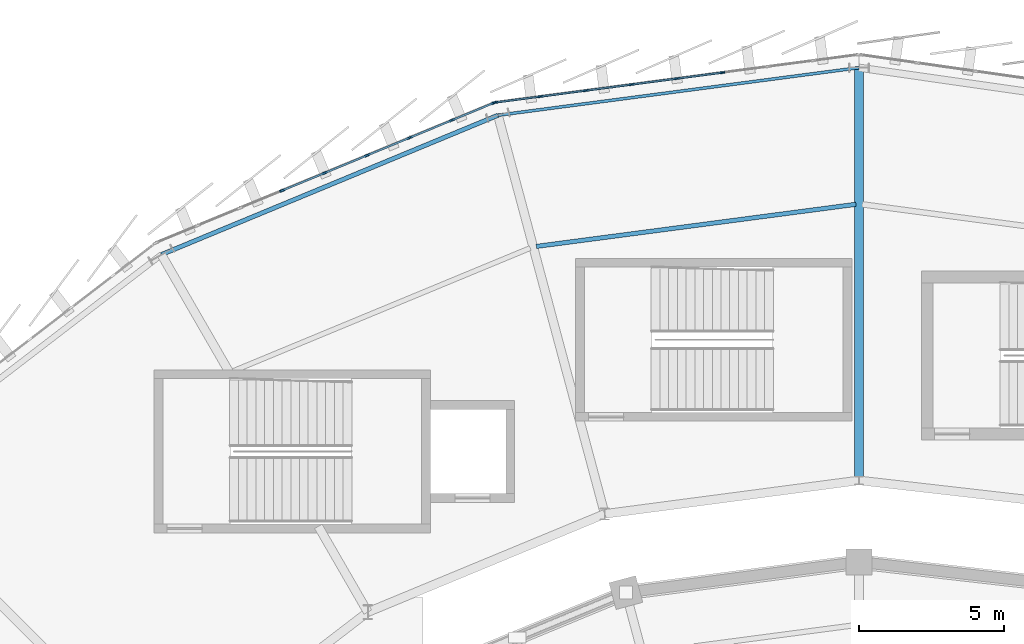
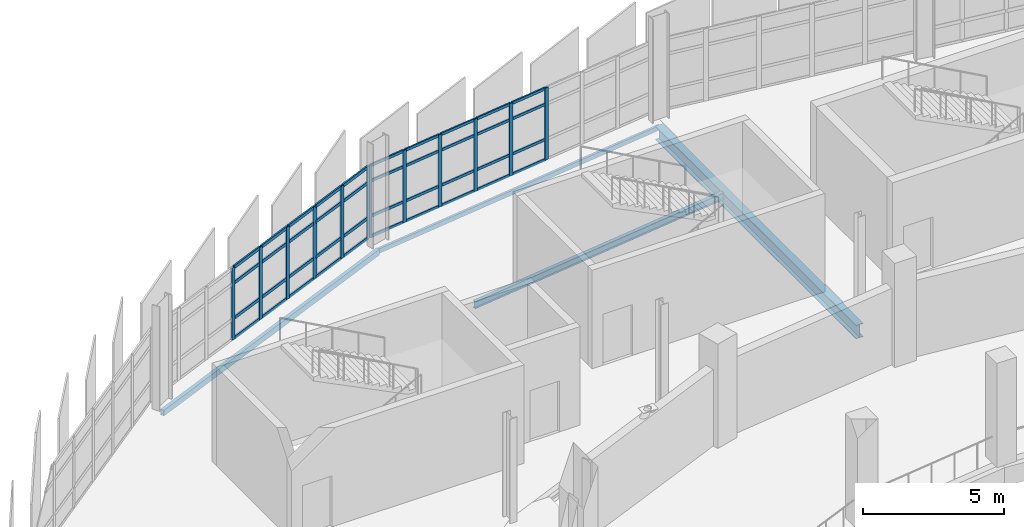
# One storey, part 57 of 125: 52 members, 4 beams, 2 elements without a shape of their own.
"""IFC4 building model written with IfcOpenShell, lengths in metres."""

from ifc_helpers import new_model, si_unit, direction, frame, origin, origin_2d, place, context, subcontext, project, spatial, rectangle, hollow_rectangle, i_section, extrude, material, layer, layer_set, material_profile, profile_set, type_object, element, aggregate, save


model = new_model("IFC4")

# Units and contexts
model_context = context("Model", 3, precision=1e-05, world=origin(), true_north=direction((0.0, 1.0)))
body_context = subcontext(model_context, "Body", "Model", "MODEL_VIEW")
ifc_project = project(units=[si_unit("LENGTHUNIT", "METRE"), si_unit("AREAUNIT", "SQUARE_METRE"), si_unit("VOLUMEUNIT", "CUBIC_METRE"), si_unit("PLANEANGLEUNIT", "RADIAN"), si_unit("MASSUNIT", "GRAM", prefix="KILO")], contexts=[model_context])

# Site, building, storey
site_placement = place(None, origin())
site = spatial("IfcSite", under=ifc_project, at=site_placement, CompositionType="ELEMENT")
building_placement = place(site_placement, origin())
building = spatial("IfcBuilding", under=site, at=building_placement, Name="Sohan Crest Arena", CompositionType="ELEMENT")
storey_placement = place(building_placement, frame((0.0, 0.0, 9.0)))
storey = spatial("IfcBuildingStorey", under=building, at=storey_placement, Name="L02", CompositionType="ELEMENT", Elevation=9.0)

# Curtain wall, members
ifc_material_1 = material(Name="Thermally broken anodised aluminium", Category="aluminium")
ifc_layer_1 = layer(ifc_material_1, 0.179931640625, Name="Thermally broken anodised aluminium")
ifc_layer_set_1 = layer_set([ifc_layer_1], Name="Thermally broken anodised aluminium")
curtain_wall_type_1 = type_object("IfcCurtainWallType", Name="ARC-CW01", PredefinedType="NOTDEFINED", material=ifc_layer_set_1)
curtain_wall_1_placement = place(storey_placement, origin())
curtain_wall_1 = element("IfcCurtainWall", 1, at=curtain_wall_1_placement, inside=storey, type_object=curtain_wall_type_1, Name="Unitised curtain wall CW-050", PredefinedType="NOTDEFINED")
ifc_material_profile_1 = material_profile(ifc_material_1, rectangle(XDim=0.06005859375, YDim=0.159912109375, at=origin_2d()), Name="ALU-MULL 60x160")
ifc_profile_set_1 = profile_set([ifc_material_profile_1], Name="Thermally broken anodised aluminium")
member_type_1 = type_object("IfcMemberType", Name="ARC-CW-ML01", PredefinedType="MULLION", material=ifc_profile_set_1)
member_1_placement = place(storey_placement, frame((93.297607421875, 125.830810546875, 0.0), z_axis=(0.0, 0.0, 1.0), x_axis=(0.130532229177, -0.991444066575, 0.0)))
member_1 = element("IfcMember", 2, at=member_1_placement, type_object=member_type_1, Name="CW-050 mullion 4", PredefinedType="MULLION", context=body_context, shape_type="SweptSolid", body=[
    extrude(rectangle(XDim=0.06005859375, YDim=0.159912109375, at=origin_2d()), origin(), (0.0, 0.0, 1.0), 3.1201171875),
])
member_2_placement = place(storey_placement, frame((91.72998046875, 125.62451171875, 0.0), z_axis=(0.0, 0.0, 1.0), x_axis=(0.130532229177, -0.991444066575, 0.0)))
member_2 = element("IfcMember", 3, at=member_2_placement, type_object=member_type_1, Name="CW-050 mullion 5", PredefinedType="MULLION", context=body_context, shape_type="SweptSolid", body=[
    extrude(rectangle(XDim=0.06005859375, YDim=0.159912109375, at=origin_2d()), origin(), (0.0, 0.0, 1.0), 3.1201171875),
])
member_3_placement = place(storey_placement, frame((90.16259765625, 125.418212890625, 0.0), z_axis=(0.0, 0.0, 1.0), x_axis=(0.130532229177, -0.991444066575, 0.0)))
member_3 = element("IfcMember", 4, at=member_3_placement, type_object=member_type_1, Name="CW-050 mullion 6", PredefinedType="MULLION", context=body_context, shape_type="SweptSolid", body=[
    extrude(rectangle(XDim=0.06005859375, YDim=0.159912109375, at=origin_2d()), origin(), (0.0, 0.0, 1.0), 3.1201171875),
])
member_4_placement = place(storey_placement, frame((88.594970703125, 125.211669921875, 0.0), z_axis=(0.0, 0.0, 1.0), x_axis=(0.130532229177, -0.991444066575, 0.0)))
member_4 = element("IfcMember", 5, at=member_4_placement, type_object=member_type_1, Name="CW-050 mullion 7", PredefinedType="MULLION", context=body_context, shape_type="SweptSolid", body=[
    extrude(rectangle(XDim=0.06005859375, YDim=0.159912109375, at=origin_2d()), origin(), (0.0, 0.0, 1.0), 3.1201171875),
])
member_5_placement = place(storey_placement, frame((87.027587890625, 125.00537109375, 0.0), z_axis=(0.0, 0.0, 1.0), x_axis=(0.130532229177, -0.991444066575, 0.0)))
member_5 = element("IfcMember", 6, at=member_5_placement, type_object=member_type_1, Name="CW-050 mullion 8", PredefinedType="MULLION", context=body_context, shape_type="SweptSolid", body=[
    extrude(rectangle(XDim=0.06005859375, YDim=0.159912109375, at=origin_2d()), origin(), (0.0, 0.0, 1.0), 3.1201171875),
])
member_6_placement = place(storey_placement, frame((85.48974609375, 124.802978515625, 0.0), z_axis=(0.0, 0.0, 1.0), x_axis=(0.130532229177, -0.991444066575, 0.0)))
member_6 = element("IfcMember", 7, at=member_6_placement, type_object=member_type_1, Name="CW-050 mullion 9", PredefinedType="MULLION", context=body_context, shape_type="SweptSolid", body=[
    extrude(rectangle(XDim=0.06005859375, YDim=0.159912109375, at=origin_2d()), origin(), (0.0, 0.0, 1.0), 3.1201171875),
])

ifc_layer_2 = layer(ifc_material_1, 0.199951171875, Name="Thermally broken anodised aluminium")
ifc_layer_set_2 = layer_set([ifc_layer_2], Name="Thermally broken anodised aluminium")
curtain_wall_type_2 = type_object("IfcCurtainWallType", Name="ARC-CW02", PredefinedType="NOTDEFINED", material=ifc_layer_set_2)
curtain_wall_2_placement = place(storey_placement, origin())
curtain_wall_2 = element("IfcCurtainWall", 8, at=curtain_wall_2_placement, inside=storey, type_object=curtain_wall_type_2, Name="Unitised curtain wall CW-051", PredefinedType="NOTDEFINED")
ifc_material_profile_2 = material_profile(ifc_material_1, rectangle(XDim=0.06494140625, YDim=0.179931640625, at=origin_2d()), Name="ALU-MULL 65x180")
ifc_profile_set_2 = profile_set([ifc_material_profile_2], Name="Thermally broken anodised aluminium")
member_type_2 = type_object("IfcMemberType", Name="ARC-CW-ML02", PredefinedType="MULLION", material=ifc_profile_set_2)
member_7_placement = place(storey_placement, frame((85.429931640625, 124.78662109375, 0.0), z_axis=(0.0, 0.0, 1.0), x_axis=(0.382677663845, -0.92388192189, 0.0)))
member_7 = element("IfcMember", 9, at=member_7_placement, type_object=member_type_2, Name="CW-051 mullion 1", PredefinedType="MULLION", context=body_context, shape_type="SweptSolid", body=[
    extrude(rectangle(XDim=0.06494140625, YDim=0.179931640625, at=origin_2d()), origin(), (0.0, 0.0, 1.0), 3.1201171875),
])
member_8_placement = place(storey_placement, frame((83.999267578125, 124.194091796875, 0.0), z_axis=(0.0, 0.0, 1.0), x_axis=(0.382677663845, -0.92388192189, 0.0)))
member_8 = element("IfcMember", 10, at=member_8_placement, type_object=member_type_2, Name="CW-051 mullion 2", PredefinedType="MULLION", context=body_context, shape_type="SweptSolid", body=[
    extrude(rectangle(XDim=0.06494140625, YDim=0.179931640625, at=origin_2d()), origin(), (0.0, 0.0, 1.0), 3.1201171875),
])
member_9_placement = place(storey_placement, frame((82.538818359375, 123.589111328125, 0.0), z_axis=(0.0, 0.0, 1.0), x_axis=(0.382677663845, -0.92388192189, 0.0)))
member_9 = element("IfcMember", 11, at=member_9_placement, type_object=member_type_2, Name="CW-051 mullion 3", PredefinedType="MULLION", context=body_context, shape_type="SweptSolid", body=[
    extrude(rectangle(XDim=0.06494140625, YDim=0.179931640625, at=origin_2d()), origin(), (0.0, 0.0, 1.0), 3.1201171875),
])
member_10_placement = place(storey_placement, frame((81.078125, 122.98388671875, 0.0), z_axis=(0.0, 0.0, 1.0), x_axis=(0.382677663845, -0.92388192189, 0.0)))
member_10 = element("IfcMember", 12, at=member_10_placement, type_object=member_type_2, Name="CW-051 mullion 4", PredefinedType="MULLION", context=body_context, shape_type="SweptSolid", body=[
    extrude(rectangle(XDim=0.06494140625, YDim=0.179931640625, at=origin_2d()), origin(), (0.0, 0.0, 1.0), 3.1201171875),
])
member_11_placement = place(storey_placement, frame((79.617431640625, 122.37890625, 0.0), z_axis=(0.0, 0.0, 1.0), x_axis=(0.382677663845, -0.92388192189, 0.0)))
member_11 = element("IfcMember", 13, at=member_11_placement, type_object=member_type_2, Name="CW-051 mullion 5", PredefinedType="MULLION", context=body_context, shape_type="SweptSolid", body=[
    extrude(rectangle(XDim=0.06494140625, YDim=0.179931640625, at=origin_2d()), origin(), (0.0, 0.0, 1.0), 3.1201171875),
])
member_12_placement = place(storey_placement, frame((78.156982421875, 121.77392578125, 0.0), z_axis=(0.0, 0.0, 1.0), x_axis=(0.382677663845, -0.92388192189, 0.0)))
member_12 = element("IfcMember", 14, at=member_12_placement, type_object=member_type_2, Name="CW-051 mullion 6", PredefinedType="MULLION", context=body_context, shape_type="SweptSolid", body=[
    extrude(rectangle(XDim=0.06494140625, YDim=0.179931640625, at=origin_2d()), origin(), (0.0, 0.0, 1.0), 3.1201171875),
])

# Member
ifc_material_profile_3 = material_profile(ifc_material_1, rectangle(XDim=0.06005859375, YDim=0.1201171875, at=origin_2d()), Name="ALU-TRAN 60x120")
ifc_profile_set_3 = profile_set([ifc_material_profile_3], Name="Thermally broken anodised aluminium")
member_type_3 = type_object("IfcMemberType", Name="ARC-CW-TR01", PredefinedType="USERDEFINED", material=ifc_profile_set_3)
member_13_placement = place(storey_placement, frame((93.267822265625, 125.826904296875, 0.030029296875), z_axis=(-0.991449378026, -0.130491880255, 0.0), x_axis=(0.130491880255, -0.991449378026, 0.0)))
member_13 = element("IfcMember", 15, at=member_13_placement, type_object=member_type_3, Name="CW-050 transom 4.1", ObjectType="TRANSOM", PredefinedType="USERDEFINED", context=body_context, shape_type="SweptSolid", body=[
    extrude(rectangle(XDim=0.06005859375, YDim=0.1201171875, at=origin_2d()), origin(), (0.0, 0.0, 1.0), 1.52099609375),
])

member_14_placement = place(storey_placement, frame((93.267822265625, 125.826904296875, 0.89990234375), z_axis=(-0.991449378026, -0.130491880255, 0.0), x_axis=(0.130491880255, -0.991449378026, 0.0)))
member_14 = element("IfcMember", 16, at=member_14_placement, type_object=member_type_3, Name="CW-050 transom 4.2", ObjectType="TRANSOM", PredefinedType="USERDEFINED", context=body_context, shape_type="SweptSolid", body=[
    extrude(rectangle(XDim=0.06005859375, YDim=0.1201171875, at=origin_2d()), origin(), (0.0, 0.0, 1.0), 1.52099609375),
])

member_15_placement = place(storey_placement, frame((93.267822265625, 125.826904296875, 2.419921875), z_axis=(-0.991449378026, -0.130491880255, 0.0), x_axis=(0.130491880255, -0.991449378026, 0.0)))
member_15 = element("IfcMember", 17, at=member_15_placement, type_object=member_type_3, Name="CW-050 transom 4.3", ObjectType="TRANSOM", PredefinedType="USERDEFINED", context=body_context, shape_type="SweptSolid", body=[
    extrude(rectangle(XDim=0.06005859375, YDim=0.1201171875, at=origin_2d()), origin(), (0.0, 0.0, 1.0), 1.52099609375),
])

member_16_placement = place(storey_placement, frame((93.267822265625, 125.826904296875, 3.090087890625), z_axis=(-0.991449378026, -0.130491880255, 0.0), x_axis=(0.130491880255, -0.991449378026, 0.0)))
member_16 = element("IfcMember", 18, at=member_16_placement, type_object=member_type_3, Name="CW-050 transom 4.4", ObjectType="TRANSOM", PredefinedType="USERDEFINED", context=body_context, shape_type="SweptSolid", body=[
    extrude(rectangle(XDim=0.06005859375, YDim=0.1201171875, at=origin_2d()), origin(), (0.0, 0.0, 1.0), 1.52099609375),
])

member_17_placement = place(storey_placement, frame((91.7001953125, 125.62060546875, 0.030029296875), z_axis=(-0.991449378026, -0.130491880255, 0.0), x_axis=(0.130491880255, -0.991449378026, 0.0)))
member_17 = element("IfcMember", 19, at=member_17_placement, type_object=member_type_3, Name="CW-050 transom 5.1", ObjectType="TRANSOM", PredefinedType="USERDEFINED", context=body_context, shape_type="SweptSolid", body=[
    extrude(rectangle(XDim=0.06005859375, YDim=0.1201171875, at=origin_2d()), origin(), (0.0, 0.0, 1.0), 1.52099609375),
])

member_18_placement = place(storey_placement, frame((91.7001953125, 125.62060546875, 0.89990234375), z_axis=(-0.991449378026, -0.130491880255, 0.0), x_axis=(0.130491880255, -0.991449378026, 0.0)))
member_18 = element("IfcMember", 20, at=member_18_placement, type_object=member_type_3, Name="CW-050 transom 5.2", ObjectType="TRANSOM", PredefinedType="USERDEFINED", context=body_context, shape_type="SweptSolid", body=[
    extrude(rectangle(XDim=0.06005859375, YDim=0.1201171875, at=origin_2d()), origin(), (0.0, 0.0, 1.0), 1.52099609375),
])

member_19_placement = place(storey_placement, frame((91.7001953125, 125.62060546875, 2.419921875), z_axis=(-0.991449378026, -0.130491880255, 0.0), x_axis=(0.130491880255, -0.991449378026, 0.0)))
member_19 = element("IfcMember", 21, at=member_19_placement, type_object=member_type_3, Name="CW-050 transom 5.3", ObjectType="TRANSOM", PredefinedType="USERDEFINED", context=body_context, shape_type="SweptSolid", body=[
    extrude(rectangle(XDim=0.06005859375, YDim=0.1201171875, at=origin_2d()), origin(), (0.0, 0.0, 1.0), 1.52099609375),
])

member_20_placement = place(storey_placement, frame((91.7001953125, 125.62060546875, 3.090087890625), z_axis=(-0.991449378026, -0.130491880255, 0.0), x_axis=(0.130491880255, -0.991449378026, 0.0)))
member_20 = element("IfcMember", 22, at=member_20_placement, type_object=member_type_3, Name="CW-050 transom 5.4", ObjectType="TRANSOM", PredefinedType="USERDEFINED", context=body_context, shape_type="SweptSolid", body=[
    extrude(rectangle(XDim=0.06005859375, YDim=0.1201171875, at=origin_2d()), origin(), (0.0, 0.0, 1.0), 1.52099609375),
])

member_21_placement = place(storey_placement, frame((90.1328125, 125.414306640625, 0.030029296875), z_axis=(-0.991428600189, -0.130649648786, 0.0), x_axis=(0.130649648786, -0.991428600189, 0.0)))
member_21 = element("IfcMember", 23, at=member_21_placement, type_object=member_type_3, Name="CW-050 transom 6.1", ObjectType="TRANSOM", PredefinedType="USERDEFINED", context=body_context, shape_type="SweptSolid", body=[
    extrude(rectangle(XDim=0.06005859375, YDim=0.1201171875, at=origin_2d()), origin(), (0.0, 0.0, 1.0), 1.52099609375),
])

member_22_placement = place(storey_placement, frame((90.1328125, 125.414306640625, 0.89990234375), z_axis=(-0.991428600189, -0.130649648786, 0.0), x_axis=(0.130649648786, -0.991428600189, 0.0)))
member_22 = element("IfcMember", 24, at=member_22_placement, type_object=member_type_3, Name="CW-050 transom 6.2", ObjectType="TRANSOM", PredefinedType="USERDEFINED", context=body_context, shape_type="SweptSolid", body=[
    extrude(rectangle(XDim=0.06005859375, YDim=0.1201171875, at=origin_2d()), origin(), (0.0, 0.0, 1.0), 1.52099609375),
])

member_23_placement = place(storey_placement, frame((90.1328125, 125.414306640625, 2.419921875), z_axis=(-0.991428600189, -0.130649648786, 0.0), x_axis=(0.130649648786, -0.991428600189, 0.0)))
member_23 = element("IfcMember", 25, at=member_23_placement, type_object=member_type_3, Name="CW-050 transom 6.3", ObjectType="TRANSOM", PredefinedType="USERDEFINED", context=body_context, shape_type="SweptSolid", body=[
    extrude(rectangle(XDim=0.06005859375, YDim=0.1201171875, at=origin_2d()), origin(), (0.0, 0.0, 1.0), 1.52099609375),
])

member_24_placement = place(storey_placement, frame((90.1328125, 125.414306640625, 3.090087890625), z_axis=(-0.991428600189, -0.130649648786, 0.0), x_axis=(0.130649648786, -0.991428600189, 0.0)))
member_24 = element("IfcMember", 26, at=member_24_placement, type_object=member_type_3, Name="CW-050 transom 6.4", ObjectType="TRANSOM", PredefinedType="USERDEFINED", context=body_context, shape_type="SweptSolid", body=[
    extrude(rectangle(XDim=0.06005859375, YDim=0.1201171875, at=origin_2d()), origin(), (0.0, 0.0, 1.0), 1.52099609375),
])

member_25_placement = place(storey_placement, frame((88.565185546875, 125.207763671875, 0.030029296875), z_axis=(-0.991449378026, -0.130491880255, 0.0), x_axis=(0.130491880255, -0.991449378026, 0.0)))
member_25 = element("IfcMember", 27, at=member_25_placement, type_object=member_type_3, Name="CW-050 transom 7.1", ObjectType="TRANSOM", PredefinedType="USERDEFINED", context=body_context, shape_type="SweptSolid", body=[
    extrude(rectangle(XDim=0.06005859375, YDim=0.1201171875, at=origin_2d()), origin(), (0.0, 0.0, 1.0), 1.52099609375),
])

member_26_placement = place(storey_placement, frame((88.565185546875, 125.207763671875, 0.89990234375), z_axis=(-0.991449378026, -0.130491880255, 0.0), x_axis=(0.130491880255, -0.991449378026, 0.0)))
member_26 = element("IfcMember", 28, at=member_26_placement, type_object=member_type_3, Name="CW-050 transom 7.2", ObjectType="TRANSOM", PredefinedType="USERDEFINED", context=body_context, shape_type="SweptSolid", body=[
    extrude(rectangle(XDim=0.06005859375, YDim=0.1201171875, at=origin_2d()), origin(), (0.0, 0.0, 1.0), 1.52099609375),
])

member_27_placement = place(storey_placement, frame((88.565185546875, 125.207763671875, 2.419921875), z_axis=(-0.991449378026, -0.130491880255, 0.0), x_axis=(0.130491880255, -0.991449378026, 0.0)))
member_27 = element("IfcMember", 29, at=member_27_placement, type_object=member_type_3, Name="CW-050 transom 7.3", ObjectType="TRANSOM", PredefinedType="USERDEFINED", context=body_context, shape_type="SweptSolid", body=[
    extrude(rectangle(XDim=0.06005859375, YDim=0.1201171875, at=origin_2d()), origin(), (0.0, 0.0, 1.0), 1.52099609375),
])

member_28_placement = place(storey_placement, frame((88.565185546875, 125.207763671875, 3.090087890625), z_axis=(-0.991449378026, -0.130491880255, 0.0), x_axis=(0.130491880255, -0.991449378026, 0.0)))
member_28 = element("IfcMember", 30, at=member_28_placement, type_object=member_type_3, Name="CW-050 transom 7.4", ObjectType="TRANSOM", PredefinedType="USERDEFINED", context=body_context, shape_type="SweptSolid", body=[
    extrude(rectangle(XDim=0.06005859375, YDim=0.1201171875, at=origin_2d()), origin(), (0.0, 0.0, 1.0), 1.52099609375),
])

member_29_placement = place(storey_placement, frame((86.997802734375, 125.00146484375, 0.030029296875), z_axis=(-0.991448163936, -0.13050110432, 0.0), x_axis=(0.13050110432, -0.991448163936, 0.0)))
member_29 = element("IfcMember", 31, at=member_29_placement, type_object=member_type_3, Name="CW-050 transom 8.1", ObjectType="TRANSOM", PredefinedType="USERDEFINED", context=body_context, shape_type="SweptSolid", body=[
    extrude(rectangle(XDim=0.06005859375, YDim=0.1201171875, at=origin_2d()), origin(), (0.0, 0.0, 1.0), 1.490966796875),
])

member_30_placement = place(storey_placement, frame((86.997802734375, 125.00146484375, 0.89990234375), z_axis=(-0.991448163936, -0.13050110432, 0.0), x_axis=(0.13050110432, -0.991448163936, 0.0)))
member_30 = element("IfcMember", 32, at=member_30_placement, type_object=member_type_3, Name="CW-050 transom 8.2", ObjectType="TRANSOM", PredefinedType="USERDEFINED", context=body_context, shape_type="SweptSolid", body=[
    extrude(rectangle(XDim=0.06005859375, YDim=0.1201171875, at=origin_2d()), origin(), (0.0, 0.0, 1.0), 1.490966796875),
])

member_31_placement = place(storey_placement, frame((86.997802734375, 125.00146484375, 2.419921875), z_axis=(-0.991448163936, -0.13050110432, 0.0), x_axis=(0.13050110432, -0.991448163936, 0.0)))
member_31 = element("IfcMember", 33, at=member_31_placement, type_object=member_type_3, Name="CW-050 transom 8.3", ObjectType="TRANSOM", PredefinedType="USERDEFINED", context=body_context, shape_type="SweptSolid", body=[
    extrude(rectangle(XDim=0.06005859375, YDim=0.1201171875, at=origin_2d()), origin(), (0.0, 0.0, 1.0), 1.490966796875),
])

member_32_placement = place(storey_placement, frame((86.997802734375, 125.00146484375, 3.090087890625), z_axis=(-0.991448163936, -0.13050110432, 0.0), x_axis=(0.13050110432, -0.991448163936, 0.0)))
member_32 = element("IfcMember", 34, at=member_32_placement, type_object=member_type_3, Name="CW-050 transom 8.4", ObjectType="TRANSOM", PredefinedType="USERDEFINED", context=body_context, shape_type="SweptSolid", body=[
    extrude(rectangle(XDim=0.06005859375, YDim=0.1201171875, at=origin_2d()), origin(), (0.0, 0.0, 1.0), 1.490966796875),
])

aggregate(curtain_wall_1, [member_1, member_2, member_3, member_4, member_5, member_6, member_13, member_14, member_15, member_16, member_17, member_18, member_19, member_20, member_21, member_22, member_23, member_24, member_25, member_26, member_27, member_28, member_29, member_30, member_31, member_32])

ifc_material_profile_4 = material_profile(ifc_material_1, rectangle(XDim=0.06494140625, YDim=0.139892578125, at=origin_2d()), Name="ALU-TRAN 65x140")
ifc_profile_set_4 = profile_set([ifc_material_profile_4], Name="Thermally broken anodised aluminium")
member_type_4 = type_object("IfcMemberType", Name="ARC-CW-TR02", PredefinedType="USERDEFINED", material=ifc_profile_set_4)
member_33_placement = place(storey_placement, frame((85.39990234375, 124.774169921875, 0.032470703125), z_axis=(-0.923902510259, -0.382627954463, 0.0), x_axis=(0.382627954463, -0.923902510259, 0.0)))
member_33 = element("IfcMember", 35, at=member_33_placement, type_object=member_type_4, Name="CW-051 transom 1.1", ObjectType="TRANSOM", PredefinedType="USERDEFINED", context=body_context, shape_type="SweptSolid", body=[
    extrude(rectangle(XDim=0.06494140625, YDim=0.139892578125, at=origin_2d()), origin(), (0.0, 0.0, 1.0), 1.4833984375),
])

member_34_placement = place(storey_placement, frame((85.39990234375, 124.774169921875, 0.89990234375), z_axis=(-0.923902510259, -0.382627954463, 0.0), x_axis=(0.382627954463, -0.923902510259, 0.0)))
member_34 = element("IfcMember", 36, at=member_34_placement, type_object=member_type_4, Name="CW-051 transom 1.2", ObjectType="TRANSOM", PredefinedType="USERDEFINED", context=body_context, shape_type="SweptSolid", body=[
    extrude(rectangle(XDim=0.06494140625, YDim=0.139892578125, at=origin_2d()), origin(), (0.0, 0.0, 1.0), 1.4833984375),
])

member_35_placement = place(storey_placement, frame((85.39990234375, 124.774169921875, 2.419921875), z_axis=(-0.923902510259, -0.382627954463, 0.0), x_axis=(0.382627954463, -0.923902510259, 0.0)))
member_35 = element("IfcMember", 37, at=member_35_placement, type_object=member_type_4, Name="CW-051 transom 1.3", ObjectType="TRANSOM", PredefinedType="USERDEFINED", context=body_context, shape_type="SweptSolid", body=[
    extrude(rectangle(XDim=0.06494140625, YDim=0.139892578125, at=origin_2d()), origin(), (0.0, 0.0, 1.0), 1.4833984375),
])

member_36_placement = place(storey_placement, frame((85.39990234375, 124.774169921875, 3.08740234375), z_axis=(-0.923902510259, -0.382627954463, 0.0), x_axis=(0.382627954463, -0.923902510259, 0.0)))
member_36 = element("IfcMember", 38, at=member_36_placement, type_object=member_type_4, Name="CW-051 transom 1.4", ObjectType="TRANSOM", PredefinedType="USERDEFINED", context=body_context, shape_type="SweptSolid", body=[
    extrude(rectangle(XDim=0.06494140625, YDim=0.139892578125, at=origin_2d()), origin(), (0.0, 0.0, 1.0), 1.4833984375),
])

member_37_placement = place(storey_placement, frame((83.96923828125, 124.181640625, 0.032470703125), z_axis=(-0.923818535569, -0.38283065883, 0.0), x_axis=(0.38283065883, -0.923818535569, 0.0)))
member_37 = element("IfcMember", 39, at=member_37_placement, type_object=member_type_4, Name="CW-051 transom 2.1", ObjectType="TRANSOM", PredefinedType="USERDEFINED", context=body_context, shape_type="SweptSolid", body=[
    extrude(rectangle(XDim=0.06494140625, YDim=0.139892578125, at=origin_2d()), origin(), (0.0, 0.0, 1.0), 1.515869140625),
])

member_38_placement = place(storey_placement, frame((83.96923828125, 124.181640625, 0.89990234375), z_axis=(-0.923818535569, -0.38283065883, 0.0), x_axis=(0.38283065883, -0.923818535569, 0.0)))
member_38 = element("IfcMember", 40, at=member_38_placement, type_object=member_type_4, Name="CW-051 transom 2.2", ObjectType="TRANSOM", PredefinedType="USERDEFINED", context=body_context, shape_type="SweptSolid", body=[
    extrude(rectangle(XDim=0.06494140625, YDim=0.139892578125, at=origin_2d()), origin(), (0.0, 0.0, 1.0), 1.515869140625),
])

member_39_placement = place(storey_placement, frame((83.96923828125, 124.181640625, 2.419921875), z_axis=(-0.923818535569, -0.38283065883, 0.0), x_axis=(0.38283065883, -0.923818535569, 0.0)))
member_39 = element("IfcMember", 41, at=member_39_placement, type_object=member_type_4, Name="CW-051 transom 2.3", ObjectType="TRANSOM", PredefinedType="USERDEFINED", context=body_context, shape_type="SweptSolid", body=[
    extrude(rectangle(XDim=0.06494140625, YDim=0.139892578125, at=origin_2d()), origin(), (0.0, 0.0, 1.0), 1.515869140625),
])

member_40_placement = place(storey_placement, frame((83.96923828125, 124.181640625, 3.08740234375), z_axis=(-0.923818535569, -0.38283065883, 0.0), x_axis=(0.38283065883, -0.923818535569, 0.0)))
member_40 = element("IfcMember", 42, at=member_40_placement, type_object=member_type_4, Name="CW-051 transom 2.4", ObjectType="TRANSOM", PredefinedType="USERDEFINED", context=body_context, shape_type="SweptSolid", body=[
    extrude(rectangle(XDim=0.06494140625, YDim=0.139892578125, at=origin_2d()), origin(), (0.0, 0.0, 1.0), 1.515869140625),
])

member_41_placement = place(storey_placement, frame((82.5087890625, 123.57666015625, 0.032470703125), z_axis=(-0.923842134592, -0.382773706454, 0.0), x_axis=(0.382773706454, -0.923842134592, 0.0)))
member_41 = element("IfcMember", 43, at=member_41_placement, type_object=member_type_4, Name="CW-051 transom 3.1", ObjectType="TRANSOM", PredefinedType="USERDEFINED", context=body_context, shape_type="SweptSolid", body=[
    extrude(rectangle(XDim=0.06494140625, YDim=0.139892578125, at=origin_2d()), origin(), (0.0, 0.0, 1.0), 1.51611328125),
])

member_42_placement = place(storey_placement, frame((82.5087890625, 123.57666015625, 0.89990234375), z_axis=(-0.923842134592, -0.382773706454, 0.0), x_axis=(0.382773706454, -0.923842134592, 0.0)))
member_42 = element("IfcMember", 44, at=member_42_placement, type_object=member_type_4, Name="CW-051 transom 3.2", ObjectType="TRANSOM", PredefinedType="USERDEFINED", context=body_context, shape_type="SweptSolid", body=[
    extrude(rectangle(XDim=0.06494140625, YDim=0.139892578125, at=origin_2d()), origin(), (0.0, 0.0, 1.0), 1.51611328125),
])

member_43_placement = place(storey_placement, frame((82.5087890625, 123.57666015625, 2.419921875), z_axis=(-0.923842134592, -0.382773706454, 0.0), x_axis=(0.382773706454, -0.923842134592, 0.0)))
member_43 = element("IfcMember", 45, at=member_43_placement, type_object=member_type_4, Name="CW-051 transom 3.3", ObjectType="TRANSOM", PredefinedType="USERDEFINED", context=body_context, shape_type="SweptSolid", body=[
    extrude(rectangle(XDim=0.06494140625, YDim=0.139892578125, at=origin_2d()), origin(), (0.0, 0.0, 1.0), 1.51611328125),
])

member_44_placement = place(storey_placement, frame((82.5087890625, 123.57666015625, 3.08740234375), z_axis=(-0.923842134592, -0.382773706454, 0.0), x_axis=(0.382773706454, -0.923842134592, 0.0)))
member_44 = element("IfcMember", 46, at=member_44_placement, type_object=member_type_4, Name="CW-051 transom 3.4", ObjectType="TRANSOM", PredefinedType="USERDEFINED", context=body_context, shape_type="SweptSolid", body=[
    extrude(rectangle(XDim=0.06494140625, YDim=0.139892578125, at=origin_2d()), origin(), (0.0, 0.0, 1.0), 1.51611328125),
])

member_45_placement = place(storey_placement, frame((81.048095703125, 122.9716796875, 0.032470703125), z_axis=(-0.923842134592, -0.382773706454, 0.0), x_axis=(0.382773706454, -0.923842134592, 0.0)))
member_45 = element("IfcMember", 47, at=member_45_placement, type_object=member_type_4, Name="CW-051 transom 4.1", ObjectType="TRANSOM", PredefinedType="USERDEFINED", context=body_context, shape_type="SweptSolid", body=[
    extrude(rectangle(XDim=0.06494140625, YDim=0.139892578125, at=origin_2d()), origin(), (0.0, 0.0, 1.0), 1.51611328125),
])

member_46_placement = place(storey_placement, frame((81.048095703125, 122.9716796875, 0.89990234375), z_axis=(-0.923842134592, -0.382773706454, 0.0), x_axis=(0.382773706454, -0.923842134592, 0.0)))
member_46 = element("IfcMember", 48, at=member_46_placement, type_object=member_type_4, Name="CW-051 transom 4.2", ObjectType="TRANSOM", PredefinedType="USERDEFINED", context=body_context, shape_type="SweptSolid", body=[
    extrude(rectangle(XDim=0.06494140625, YDim=0.139892578125, at=origin_2d()), origin(), (0.0, 0.0, 1.0), 1.51611328125),
])

member_47_placement = place(storey_placement, frame((81.048095703125, 122.9716796875, 2.419921875), z_axis=(-0.923842134592, -0.382773706454, 0.0), x_axis=(0.382773706454, -0.923842134592, 0.0)))
member_47 = element("IfcMember", 49, at=member_47_placement, type_object=member_type_4, Name="CW-051 transom 4.3", ObjectType="TRANSOM", PredefinedType="USERDEFINED", context=body_context, shape_type="SweptSolid", body=[
    extrude(rectangle(XDim=0.06494140625, YDim=0.139892578125, at=origin_2d()), origin(), (0.0, 0.0, 1.0), 1.51611328125),
])

member_48_placement = place(storey_placement, frame((81.048095703125, 122.9716796875, 3.08740234375), z_axis=(-0.923842134592, -0.382773706454, 0.0), x_axis=(0.382773706454, -0.923842134592, 0.0)))
member_48 = element("IfcMember", 50, at=member_48_placement, type_object=member_type_4, Name="CW-051 transom 4.4", ObjectType="TRANSOM", PredefinedType="USERDEFINED", context=body_context, shape_type="SweptSolid", body=[
    extrude(rectangle(XDim=0.06494140625, YDim=0.139892578125, at=origin_2d()), origin(), (0.0, 0.0, 1.0), 1.51611328125),
])

member_49_placement = place(storey_placement, frame((79.58740234375, 122.366455078125, 0.032470703125), z_axis=(-0.923875488976, -0.382693194178, 0.0), x_axis=(0.382693194178, -0.923875488976, 0.0)))
member_49 = element("IfcMember", 51, at=member_49_placement, type_object=member_type_4, Name="CW-051 transom 5.1", ObjectType="TRANSOM", PredefinedType="USERDEFINED", context=body_context, shape_type="SweptSolid", body=[
    extrude(rectangle(XDim=0.06494140625, YDim=0.139892578125, at=origin_2d()), origin(), (0.0, 0.0, 1.0), 1.515869140625),
])

member_50_placement = place(storey_placement, frame((79.58740234375, 122.366455078125, 0.89990234375), z_axis=(-0.923875488976, -0.382693194178, 0.0), x_axis=(0.382693194178, -0.923875488976, 0.0)))
member_50 = element("IfcMember", 52, at=member_50_placement, type_object=member_type_4, Name="CW-051 transom 5.2", ObjectType="TRANSOM", PredefinedType="USERDEFINED", context=body_context, shape_type="SweptSolid", body=[
    extrude(rectangle(XDim=0.06494140625, YDim=0.139892578125, at=origin_2d()), origin(), (0.0, 0.0, 1.0), 1.515869140625),
])

member_51_placement = place(storey_placement, frame((79.58740234375, 122.366455078125, 2.419921875), z_axis=(-0.923875488976, -0.382693194178, 0.0), x_axis=(0.382693194178, -0.923875488976, 0.0)))
member_51 = element("IfcMember", 53, at=member_51_placement, type_object=member_type_4, Name="CW-051 transom 5.3", ObjectType="TRANSOM", PredefinedType="USERDEFINED", context=body_context, shape_type="SweptSolid", body=[
    extrude(rectangle(XDim=0.06494140625, YDim=0.139892578125, at=origin_2d()), origin(), (0.0, 0.0, 1.0), 1.515869140625),
])

member_52_placement = place(storey_placement, frame((79.58740234375, 122.366455078125, 3.08740234375), z_axis=(-0.923875488976, -0.382693194178, 0.0), x_axis=(0.382693194178, -0.923875488976, 0.0)))
member_52 = element("IfcMember", 54, at=member_52_placement, type_object=member_type_4, Name="CW-051 transom 5.4", ObjectType="TRANSOM", PredefinedType="USERDEFINED", context=body_context, shape_type="SweptSolid", body=[
    extrude(rectangle(XDim=0.06494140625, YDim=0.139892578125, at=origin_2d()), origin(), (0.0, 0.0, 1.0), 1.515869140625),
])

aggregate(curtain_wall_2, [member_7, member_8, member_9, member_10, member_11, member_12, member_33, member_34, member_35, member_36, member_37, member_38, member_39, member_40, member_41, member_42, member_43, member_44, member_45, member_46, member_47, member_48, member_49, member_50, member_51, member_52])

# Beams
ifc_material_2 = material(Name="Steel S355", Category="steel")
ifc_material_profile_5 = material_profile(ifc_material_2, i_section(OverallWidth=0.14990234375, OverallDepth=0.300048828125, WebThickness=0.007080078125, FlangeThickness=0.0107421875, at=origin_2d()), Name="IPE 300")
ifc_profile_set_5 = profile_set([ifc_material_profile_5], Name="Steel S355")
beam_type_1 = type_object("IfcBeamType", Name="STR-BM-B01", PredefinedType="JOIST", material=ifc_profile_set_5)
beam_1_placement = place(storey_placement, frame((97.89111328125, 121.300048828125, -0.39990234375), z_axis=(-0.991434947697, -0.130601471988, 0.0), x_axis=(0.130601471988, -0.991434947697, 0.0)))
element("IfcBeam", 55, at=beam_1_placement, inside=storey, type_object=beam_type_1, Name="Structural beam J-L02-1248", PredefinedType="JOIST", context=body_context, shape_type="SweptSolid", body=[
    extrude(i_section(OverallWidth=0.14990234375, OverallDepth=0.300048828125, WebThickness=0.007080078125, FlangeThickness=0.0107421875, at=origin_2d()), origin(), (0.0, 0.0, 1.0), 11.087158203125),
])
ifc_material_profile_6 = material_profile(ifc_material_2, i_section(OverallWidth=0.300048828125, OverallDepth=0.590087890625, WebThickness=0.012939453125, FlangeThickness=0.02490234375, at=origin_2d()), Name="HEA 600")
ifc_profile_set_6 = profile_set([ifc_material_profile_6], Name="Steel S355")
beam_type_2 = type_object("IfcBeamType", Name="STR-BM-B11", PredefinedType="BEAM", material=ifc_profile_set_6)
beam_2_placement = place(storey_placement, frame((98.0, 111.800048828125, -0.544921875), z_axis=(0.0, 1.0, 0.0), x_axis=(-1.0, 0.0, 0.0)))
element("IfcBeam", 56, at=beam_2_placement, inside=storey, type_object=beam_type_2, Name="Structural beam G-L02-1245", PredefinedType="BEAM", context=body_context, shape_type="SweptSolid", body=[
    extrude(i_section(OverallWidth=0.300048828125, OverallDepth=0.590087890625, WebThickness=0.012939453125, FlangeThickness=0.02490234375, at=origin_2d()), origin(), (0.0, 0.0, 1.0), 14.199951171875),
])
ifc_material_profile_7 = material_profile(ifc_material_2, hollow_rectangle(XDim=0.10009765625, YDim=0.199951171875, WallThickness=0.008056640625, at=origin_2d()), Name="RHS 200x100x8")
ifc_profile_set_7 = profile_set([ifc_material_profile_7], Name="Steel S355")
beam_type_3 = type_object("IfcBeamType", Name="STR-BM-SP01", PredefinedType="SPANDREL", material=ifc_profile_set_7)
beam_3_placement = place(storey_placement, frame((98.0, 126.0, -0.35009765625), z_axis=(-0.991440164207, -0.130561865783, 0.0), x_axis=(0.130561865783, -0.991440164207, 0.0)))
element("IfcBeam", 57, at=beam_3_placement, inside=storey, type_object=beam_type_3, Name="Structural beam SP-L02-1247", PredefinedType="SPANDREL", context=body_context, shape_type="SweptSolid", body=[
    extrude(hollow_rectangle(XDim=0.10009765625, YDim=0.199951171875, WallThickness=0.008056640625, at=origin_2d()), origin(), (0.0, 0.0, 1.0), 12.5302734375),
])
ifc_material_profile_8 = material_profile(ifc_material_2, hollow_rectangle(XDim=0.14990234375, YDim=0.25, WallThickness=0.010009765625, at=origin_2d()), Name="RHS 250x150x10")
ifc_profile_set_8 = profile_set([ifc_material_profile_8], Name="Steel S355")
beam_type_4 = type_object("IfcBeamType", Name="STR-BM-SP02", PredefinedType="SPANDREL", material=ifc_profile_set_8)
beam_4_placement = place(storey_placement, frame((85.576904296875, 124.364013671875, -0.375), z_axis=(-0.923890504882, -0.382656941645, 0.0), x_axis=(0.382656941645, -0.923890504882, 0.0)))
element("IfcBeam", 58, at=beam_4_placement, inside=storey, type_object=beam_type_4, Name="Structural beam SP-L02-1251", PredefinedType="SPANDREL", context=body_context, shape_type="SweptSolid", body=[
    extrude(hollow_rectangle(XDim=0.14990234375, YDim=0.25, WallThickness=0.010009765625, at=origin_2d()), origin(), (0.0, 0.0, 1.0), 12.530517578125),
])

save(model, "model.ifc")
